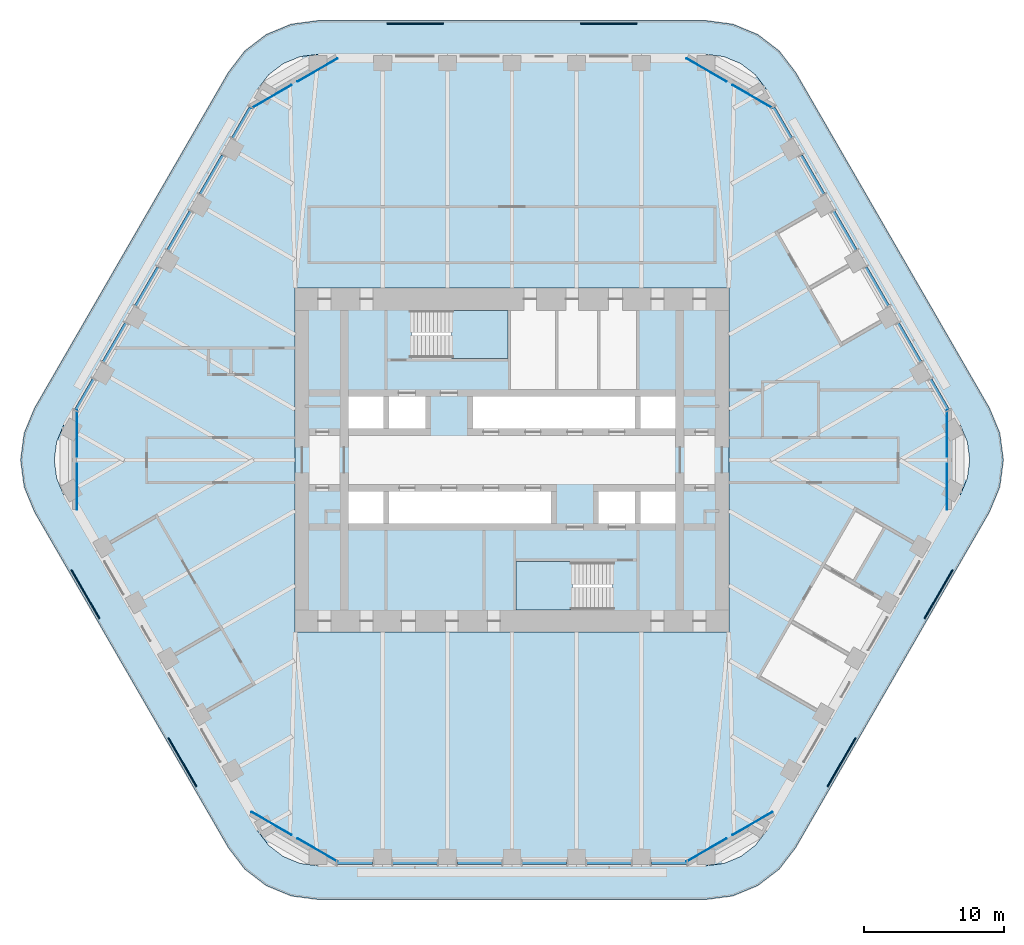
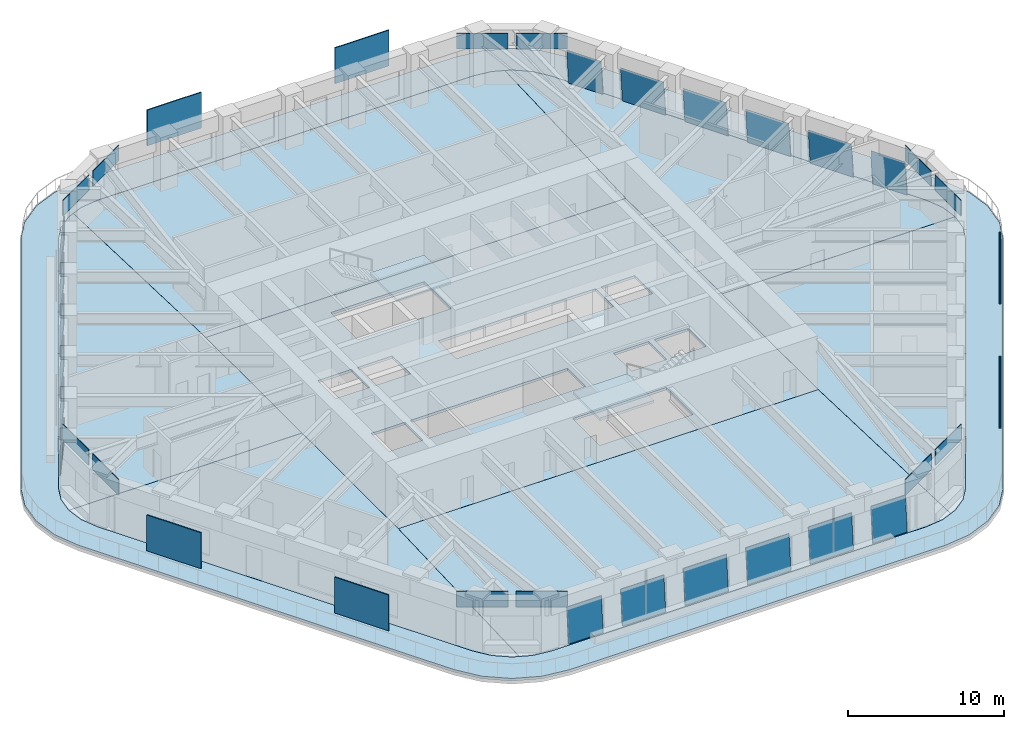
# One storey, part 13 of 20: 36 plates, 10 slabs, 20 elements without a shape of their own.
"""IFC4 building model written with IfcOpenShell, lengths in metres."""

from ifc_helpers import new_model, si_unit, direction, frame, origin, origin_2d, place, context, subcontext, project, spatial, polyline, rectangle, outline, extrude, material, layer, layer_set, type_object, element, aggregate, save


model = new_model("IFC4")

# Units and contexts
model_context = context("Model", 3, precision=1e-05, world=origin(), true_north=direction((0.0, 1.0)))
body_context = subcontext(model_context, "Body", "Model", "MODEL_VIEW")
ifc_project = project(units=[si_unit("LENGTHUNIT", "METRE"), si_unit("AREAUNIT", "SQUARE_METRE"), si_unit("VOLUMEUNIT", "CUBIC_METRE"), si_unit("PLANEANGLEUNIT", "RADIAN"), si_unit("MASSUNIT", "GRAM", prefix="KILO")], contexts=[model_context])

# Site, building, storey
site_placement = place(None, origin())
site = spatial("IfcSite", under=ifc_project, at=site_placement, CompositionType="ELEMENT")
building_placement = place(site_placement, origin())
building = spatial("IfcBuilding", under=site, at=building_placement, Name="Tarfa Lantern Tower", CompositionType="ELEMENT")
storey_placement = place(building_placement, frame((0.0, 0.0, 244.89990234375)))
storey = spatial("IfcBuildingStorey", under=building, at=storey_placement, Name="L55", CompositionType="ELEMENT", Elevation=244.89990234375)

# Slab
ifc_material_1 = material(Name="Concrete C40/50", Category="concrete")
ifc_layer_1 = layer(ifc_material_1, 0.199951171875)
ifc_layer_set_1 = layer_set([ifc_layer_1], Name="BS2 BALCONY SLAB 200")
slab_type_1 = type_object("IfcSlabType", Name="BS2 BALCONY SLAB 200", PredefinedType="FLOOR", material=ifc_layer_set_1)
slab_1_placement = place(storey_placement, frame((0.0, 0.0, -0.199951171875)))
element("IfcSlab", 1, at=slab_1_placement, inside=storey, type_object=slab_type_1, Name="Balcony L55", PredefinedType="FLOOR", context=body_context, shape_type="SweptSolid", body=[
    extrude(outline(polyline([(34.121337890625, 3.699951171875), (20.264892578125, 27.699951171875), (19.089111328125, 29.232666015625), (17.556396484375, 30.40869140625), (15.771728515625, 31.14794921875), (13.8564453125, 31.39990234375), (-13.8564453125, 31.39990234375), (-15.771728515625, 31.14794921875), (-17.556396484375, 30.40869140625), (-19.089111328125, 29.232666015625), (-20.264892578125, 27.699951171875), (-34.121337890625, 3.699951171875), (-34.860595703125, 1.915283203125), (-35.11279296875, 0.0), (-34.860595703125, -1.915283203125), (-34.121337890625, -3.699951171875), (-20.264892578125, -27.699951171875), (-19.089111328125, -29.232666015625), (-17.556396484375, -30.40869140625), (-15.771728515625, -31.14794921875), (-13.8564453125, -31.39990234375), (13.8564453125, -31.39990234375), (15.771728515625, -31.14794921875), (17.556396484375, -30.40869140625), (19.089111328125, -29.232666015625), (20.264892578125, -27.699951171875), (34.121337890625, -3.699951171875), (34.860595703125, -1.915283203125), (35.11279296875, 0.0), (34.860595703125, 1.915283203125), (34.121337890625, 3.699951171875)]), holes=[polyline([(32.04296875, 2.5), (18.1865234375, 26.5), (17.391845703125, 27.53564453125), (16.3564453125, 28.330078125), (15.150390625, 28.82958984375), (13.8564453125, 29.0), (-13.8564453125, 29.0), (-15.150390625, 28.82958984375), (-16.3564453125, 28.330078125), (-17.391845703125, 27.53564453125), (-18.1865234375, 26.5), (-32.04296875, 2.5), (-32.54248046875, 1.294189453125), (-32.712890625, 0.0), (-32.54248046875, -1.294189453125), (-32.04296875, -2.5), (-18.1865234375, -26.5), (-17.391845703125, -27.53564453125), (-16.3564453125, -28.330078125), (-15.150390625, -28.82958984375), (-13.8564453125, -29.0), (13.8564453125, -29.0), (15.150390625, -28.82958984375), (16.3564453125, -28.330078125), (17.391845703125, -27.53564453125), (18.1865234375, -26.5), (32.04296875, -2.5), (32.54248046875, -1.294189453125), (32.712890625, 0.0), (32.54248046875, 1.294189453125), (32.04296875, 2.5)])]), origin(), (0.0, 0.0, 1.0), 0.199951171875),
])

# Curtain wall, plate
ifc_material_2 = material(Name="Aluminium framed curtain wall", Category="aluminium")
curtain_wall_type = type_object("IfcCurtainWallType", Name="CW3 CANTED GLAZING HIGH ZONE 2800", PredefinedType="USERDEFINED", material=ifc_material_2)
curtain_wall_1_placement = place(storey_placement, origin())
curtain_wall_1 = element("IfcCurtainWall", 2, at=curtain_wall_1_placement, inside=storey, type_object=curtain_wall_type, Name="CW3 NE L55", ObjectType="CURTAIN WALL", PredefinedType="USERDEFINED")
ifc_material_3 = material(Name="Laminated double glazing", Category="glass")
ifc_layer_2 = layer(ifc_material_3, 0.028076171875)
ifc_layer_set_2 = layer_set([ifc_layer_2], Name="CWP1 DOUBLE GLAZED PANEL")
plate_type_1 = type_object("IfcPlateType", Name="CWP1 DOUBLE GLAZED PANEL", PredefinedType="CURTAIN_PANEL", material=ifc_layer_set_2)
plate_1_placement = place(storey_placement, frame((31.27392578125, 3.632080078125, 0.0), z_axis=(0.862597812181, 0.498009918325, 0.088944565154), x_axis=(-0.499991881386, 0.86603009101, 3.688828e-06)))
plate_1 = element("IfcPlate", 3, at=plate_1_placement, type_object=plate_type_1, Name="CW3 panel 1.1", PredefinedType="CURTAIN_PANEL", context=body_context, shape_type="SweptSolid", body=[
    extrude(outline(polyline([(0.0, 0.0), (2.5389220661234515, 0.0), (2.5389267657622057, 2.7459815404071932), (0.0001267679691709482, 2.7460003457862903), (0.0, 0.0)])), origin(), (0.0, 0.0, -1.0), 0.028076171875),
])
aggregate(curtain_wall_1, [plate_1])

curtain_wall_2_placement = place(storey_placement, origin())
curtain_wall_2 = element("IfcCurtainWall", 4, at=curtain_wall_2_placement, inside=storey, type_object=curtain_wall_type, Name="CW3 NE L55", ObjectType="CURTAIN WALL", PredefinedType="USERDEFINED")
plate_2_placement = place(storey_placement, frame((29.28955078125, 7.069091796875, 0.0), z_axis=(0.862609034743, 0.49799047926, 0.088944565584), x_axis=(-0.499972306845, 0.86604139184, 2.936936e-06)))
plate_2 = element("IfcPlate", 5, at=plate_2_placement, type_object=plate_type_1, Name="CW3 panel 1.1", PredefinedType="CURTAIN_PANEL", context=body_context, shape_type="SweptSolid", body=[
    extrude(outline(polyline([(0.0, 0.0), (3.188959804808154, 0.0), (3.188956929880909, 2.745981540409657), (0.00011918862423093281, 2.746000346125675), (0.0, 0.0)])), origin(), (0.0, 0.0, -1.0), 0.028076171875),
])
aggregate(curtain_wall_2, [plate_2])

curtain_wall_3_placement = place(storey_placement, origin())
curtain_wall_3 = element("IfcCurtainWall", 6, at=curtain_wall_3_placement, inside=storey, type_object=curtain_wall_type, Name="CW3 NE L55", ObjectType="CURTAIN WALL", PredefinedType="USERDEFINED")
plate_3_placement = place(storey_placement, frame((26.97998046875, 11.069091796875, 0.0), z_axis=(0.862609034743, 0.49799047926, 0.088944565584), x_axis=(-0.499971852573, 0.866041654094, -2.937048e-06)))
plate_3 = element("IfcPlate", 7, at=plate_3_placement, type_object=plate_type_1, Name="CW3 panel 1.1", PredefinedType="CURTAIN_PANEL", context=body_context, shape_type="SweptSolid", body=[
    extrude(outline(polyline([(0.0, 0.0), (3.1888377413121303, 0.0), (3.188940735790754, 2.746000346780822), (-1.9068961945883972e-05, 2.745981540344952), (0.0, 0.0)])), origin(), (0.0, 0.0, -1.0), 0.028076171875),
])
aggregate(curtain_wall_3, [plate_3])

curtain_wall_4_placement = place(storey_placement, origin())
curtain_wall_4 = element("IfcCurtainWall", 8, at=curtain_wall_4_placement, inside=storey, type_object=curtain_wall_type, Name="CW3 NE L55", ObjectType="CURTAIN WALL", PredefinedType="USERDEFINED")
plate_4_placement = place(storey_placement, frame((24.670654296875, 15.069091796875, 0.0), z_axis=(0.862595478395, 0.498020780534, 0.088906371022), x_axis=(-0.500000789788, 0.8660249478, 0.0)))
plate_4 = element("IfcPlate", 9, at=plate_4_placement, type_object=plate_type_1, Name="CW3 panel 1.1", PredefinedType="CURTAIN_PANEL", context=body_context, shape_type="SweptSolid", body=[
    extrude(outline(polyline([(0.0, 0.0), (3.1889598065466314, 2.7755575615628914e-17), (3.1889569281424333, 2.74598154242858), (-2.8784041983250337e-06, 2.74598154242858), (0.0, 0.0)])), origin(), (0.0, 0.0, -1.0), 0.028076171875),
])
aggregate(curtain_wall_4, [plate_4])

curtain_wall_5_placement = place(storey_placement, origin())
curtain_wall_5 = element("IfcCurtainWall", 10, at=curtain_wall_5_placement, inside=storey, type_object=curtain_wall_type, Name="CW3 NE L55", ObjectType="CURTAIN WALL", PredefinedType="USERDEFINED")
plate_5_placement = place(storey_placement, frame((22.361328125, 19.069091796875, 0.0), z_axis=(0.862609034743, 0.49799047926, 0.088944565584), x_axis=(-0.499972306845, 0.86604139184, 2.936936e-06)))
plate_5 = element("IfcPlate", 11, at=plate_5_placement, type_object=plate_type_1, Name="CW3 panel 1.1", PredefinedType="CURTAIN_PANEL", context=body_context, shape_type="SweptSolid", body=[
    extrude(outline(polyline([(0.0, 0.0), (3.188959804808154, 0.0), (3.188956929880909, 2.745981540409657), (0.00011918862423093281, 2.746000346125675), (0.0, 0.0)])), origin(), (0.0, 0.0, -1.0), 0.028076171875),
])
aggregate(curtain_wall_5, [plate_5])

curtain_wall_6_placement = place(storey_placement, origin())
curtain_wall_6 = element("IfcCurtainWall", 12, at=curtain_wall_6_placement, inside=storey, type_object=curtain_wall_type, Name="CW3 NE L55", ObjectType="CURTAIN WALL", PredefinedType="USERDEFINED")
plate_6_placement = place(storey_placement, frame((20.0517578125, 23.069091796875, 0.0), z_axis=(0.862621501949, 0.497975703823, 0.088906370847), x_axis=(-0.499955533855, 0.866051074803, 0.0)))
plate_6 = element("IfcPlate", 13, at=plate_6_placement, type_object=plate_type_1, Name="CW3 panel 1.1", PredefinedType="CURTAIN_PANEL", context=body_context, shape_type="SweptSolid", body=[
    extrude(outline(polyline([(0.0, 0.0), (2.538800000046309, -1.3877787807814457e-17), (2.538784364039763, 2.745981542385572), (-1.5636006546276837e-05, 2.745981542385572), (0.0, 0.0)])), origin(), (0.0, 0.0, -1.0), 0.028076171875),
])
aggregate(curtain_wall_6, [plate_6])

curtain_wall_7_placement = place(storey_placement, origin())
curtain_wall_7 = element("IfcCurtainWall", 14, at=curtain_wall_7_placement, inside=storey, type_object=curtain_wall_type, Name="CW3 NW L55", ObjectType="CURTAIN WALL", PredefinedType="USERDEFINED")
plate_7_placement = place(storey_placement, frame((-18.782470703125, 25.267822265625, 0.0), z_axis=(-0.862621501949, 0.497975703823, 0.088906370847), x_axis=(-0.499955533855, -0.866051074803, 0.0)))
plate_7 = element("IfcPlate", 15, at=plate_7_placement, type_object=plate_type_1, Name="CW3 panel 1.1", PredefinedType="CURTAIN_PANEL", context=body_context, shape_type="SweptSolid", body=[
    extrude(outline(polyline([(0.0, 0.0), (2.538800000046309, 1.3877787807814457e-17), (2.5388156360528553, 2.745981542385572), (1.5636006546276837e-05, 2.745981542385572), (0.0, 0.0)])), origin(), (0.0, 0.0, -1.0), 0.028076171875),
])
aggregate(curtain_wall_7, [plate_7])

curtain_wall_8_placement = place(storey_placement, origin())
curtain_wall_8 = element("IfcCurtainWall", 16, at=curtain_wall_8_placement, inside=storey, type_object=curtain_wall_type, Name="CW3 NW L55", ObjectType="CURTAIN WALL", PredefinedType="USERDEFINED")
plate_8_placement = place(storey_placement, frame((-20.766845703125, 21.830810546875, 0.0), z_axis=(-0.862609034743, 0.49799047926, 0.088944565584), x_axis=(-0.499972306845, -0.86604139184, -2.936936e-06)))
plate_8 = element("IfcPlate", 17, at=plate_8_placement, type_object=plate_type_1, Name="CW3 panel 1.1", PredefinedType="CURTAIN_PANEL", context=body_context, shape_type="SweptSolid", body=[
    extrude(outline(polyline([(0.0, 0.0), (3.188959804808154, 0.0), (3.1888406161839233, 2.746000346125675), (2.874927244868359e-06, 2.745981540409657), (0.0, 0.0)])), origin(), (0.0, 0.0, -1.0), 0.028076171875),
])
aggregate(curtain_wall_8, [plate_8])

curtain_wall_9_placement = place(storey_placement, origin())
curtain_wall_9 = element("IfcCurtainWall", 18, at=curtain_wall_9_placement, inside=storey, type_object=curtain_wall_type, Name="CW3 NW L55", ObjectType="CURTAIN WALL", PredefinedType="USERDEFINED")
plate_9_placement = place(storey_placement, frame((-23.076171875, 17.830810546875, 0.0), z_axis=(-0.862595478395, 0.498020780534, 0.088906371022), x_axis=(-0.500000789788, -0.8660249478, 0.0)))
plate_9 = element("IfcPlate", 19, at=plate_9_placement, type_object=plate_type_1, Name="CW3 panel 1.1", PredefinedType="CURTAIN_PANEL", context=body_context, shape_type="SweptSolid", body=[
    extrude(outline(polyline([(0.0, 0.0), (3.1889598065466314, -2.7755575615628914e-17), (3.1889626849508295, 2.74598154242858), (2.8784041983250337e-06, 2.74598154242858), (0.0, 0.0)])), origin(), (0.0, 0.0, -1.0), 0.028076171875),
])
aggregate(curtain_wall_9, [plate_9])

curtain_wall_10_placement = place(storey_placement, origin())
curtain_wall_10 = element("IfcCurtainWall", 20, at=curtain_wall_10_placement, inside=storey, type_object=curtain_wall_type, Name="CW3 NW L55", ObjectType="CURTAIN WALL", PredefinedType="USERDEFINED")
plate_10_placement = place(storey_placement, frame((-25.3857421875, 13.830810546875, 0.0), z_axis=(-0.862609034743, 0.49799047926, 0.088944565584), x_axis=(-0.499971852573, -0.866041654094, 2.937048e-06)))
plate_10 = element("IfcPlate", 21, at=plate_10_placement, type_object=plate_type_1, Name="CW3 panel 1.1", PredefinedType="CURTAIN_PANEL", context=body_context, shape_type="SweptSolid", body=[
    extrude(outline(polyline([(0.0, 0.0), (3.1888377413121303, 0.0), (3.1888568102740757, 2.745981540344952), (-0.00010299447862375795, 2.746000346780822), (0.0, 0.0)])), origin(), (0.0, 0.0, -1.0), 0.028076171875),
])
aggregate(curtain_wall_10, [plate_10])

curtain_wall_11_placement = place(storey_placement, origin())
curtain_wall_11 = element("IfcCurtainWall", 22, at=curtain_wall_11_placement, inside=storey, type_object=curtain_wall_type, Name="CW3 NW L55", ObjectType="CURTAIN WALL", PredefinedType="USERDEFINED")
plate_11_placement = place(storey_placement, frame((-27.695068359375, 9.830810546875, 0.0), z_axis=(-0.862609034743, 0.49799047926, 0.088944565584), x_axis=(-0.499972306845, -0.86604139184, -2.936936e-06)))
plate_11 = element("IfcPlate", 23, at=plate_11_placement, type_object=plate_type_1, Name="CW3 panel 1.1", PredefinedType="CURTAIN_PANEL", context=body_context, shape_type="SweptSolid", body=[
    extrude(outline(polyline([(0.0, 0.0), (3.188959804808154, 0.0), (3.1888406161839233, 2.746000346125675), (2.874927244868359e-06, 2.745981540409657), (0.0, 0.0)])), origin(), (0.0, 0.0, -1.0), 0.028076171875),
])
aggregate(curtain_wall_11, [plate_11])

curtain_wall_12_placement = place(storey_placement, origin())
curtain_wall_12 = element("IfcCurtainWall", 24, at=curtain_wall_12_placement, inside=storey, type_object=curtain_wall_type, Name="CW3 NW L55", ObjectType="CURTAIN WALL", PredefinedType="USERDEFINED")
plate_12_placement = place(storey_placement, frame((-30.00439453125, 5.830810546875, 0.0), z_axis=(-0.862597812181, 0.498009918325, 0.088944565154), x_axis=(-0.499991881386, -0.86603009101, -3.688828e-06)))
plate_12 = element("IfcPlate", 25, at=plate_12_placement, type_object=plate_type_1, Name="CW3 panel 1.1", PredefinedType="CURTAIN_PANEL", context=body_context, shape_type="SweptSolid", body=[
    extrude(outline(polyline([(0.0, 0.0), (2.5389220661234515, 0.0), (2.538795298154281, 2.7460003457862903), (-4.6996387543900236e-06, 2.7459815404071932), (0.0, 0.0)])), origin(), (0.0, 0.0, -1.0), 0.028076171875),
])
aggregate(curtain_wall_12, [plate_12])

curtain_wall_13_placement = place(storey_placement, origin())
curtain_wall_13 = element("IfcCurtainWall", 26, at=curtain_wall_13_placement, inside=storey, type_object=curtain_wall_type, Name="CW3 S L55", ObjectType="CURTAIN WALL", PredefinedType="USERDEFINED")
plate_13_placement = place(storey_placement, frame((-12.491455078125, -28.89990234375, 0.0), z_axis=(0.0, -0.996039814532, 0.088908311571), x_axis=(1.0, 0.0, 0.0)))
plate_13 = element("IfcPlate", 27, at=plate_13_placement, type_object=plate_type_1, Name="CW3 panel 1.1", PredefinedType="CURTAIN_PANEL", context=body_context, shape_type="SweptSolid", body=[
    extrude(outline(polyline([(0.0, 0.0), (2.538818359375, 0.0), (2.538818359375, 2.745982019965007), (0.0, 2.745982019965007), (0.0, 0.0)])), origin(), (0.0, 0.0, -1.0), 0.028076171875),
])
aggregate(curtain_wall_13, [plate_13])

curtain_wall_14_placement = place(storey_placement, origin())
curtain_wall_14 = element("IfcCurtainWall", 28, at=curtain_wall_14_placement, inside=storey, type_object=curtain_wall_type, Name="CW3 S L55", ObjectType="CURTAIN WALL", PredefinedType="USERDEFINED")
plate_14_placement = place(storey_placement, frame((-8.522705078125, -28.89990234375, 0.0), z_axis=(0.0, -0.996039814532, 0.088908311571), x_axis=(1.0, 0.0, 0.0)))
plate_14 = element("IfcPlate", 29, at=plate_14_placement, type_object=plate_type_1, Name="CW3 panel 1.1", PredefinedType="CURTAIN_PANEL", context=body_context, shape_type="SweptSolid", body=[
    extrude(outline(polyline([(0.0, 0.0), (3.18896484375, 0.0), (3.18896484375, 2.745982019965007), (0.0, 2.745982019965007), (0.0, 0.0)])), origin(), (0.0, 0.0, -1.0), 0.028076171875),
])
aggregate(curtain_wall_14, [plate_14])

curtain_wall_15_placement = place(storey_placement, origin())
curtain_wall_15 = element("IfcCurtainWall", 30, at=curtain_wall_15_placement, inside=storey, type_object=curtain_wall_type, Name="CW3 S L55", ObjectType="CURTAIN WALL", PredefinedType="USERDEFINED")
plate_15_placement = place(storey_placement, frame((-3.90380859375, -28.89990234375, 0.0), z_axis=(0.0, -0.996039814532, 0.088908311571), x_axis=(1.0, 0.0, 0.0)))
plate_15 = element("IfcPlate", 31, at=plate_15_placement, type_object=plate_type_1, Name="CW3 panel 1.1", PredefinedType="CURTAIN_PANEL", context=body_context, shape_type="SweptSolid", body=[
    extrude(outline(polyline([(0.0, 0.0), (3.188720703125, 0.0), (3.188720703125, 2.745982019965007), (0.0, 2.745982019965007), (0.0, 0.0)])), origin(), (0.0, 0.0, -1.0), 0.028076171875),
])
aggregate(curtain_wall_15, [plate_15])

curtain_wall_16_placement = place(storey_placement, origin())
curtain_wall_16 = element("IfcCurtainWall", 32, at=curtain_wall_16_placement, inside=storey, type_object=curtain_wall_type, Name="CW3 S L55", ObjectType="CURTAIN WALL", PredefinedType="USERDEFINED")
plate_16_placement = place(storey_placement, frame((0.715087890625, -28.89990234375, 0.0), z_axis=(0.0, -0.996039814532, 0.088908311571), x_axis=(1.0, 0.0, 0.0)))
plate_16 = element("IfcPlate", 33, at=plate_16_placement, type_object=plate_type_1, Name="CW3 panel 1.1", PredefinedType="CURTAIN_PANEL", context=body_context, shape_type="SweptSolid", body=[
    extrude(outline(polyline([(0.0, 0.0), (3.188720703125, 0.0), (3.188720703125, 2.745982019965007), (0.0, 2.745982019965007), (0.0, 0.0)])), origin(), (0.0, 0.0, -1.0), 0.028076171875),
])
aggregate(curtain_wall_16, [plate_16])

curtain_wall_17_placement = place(storey_placement, origin())
curtain_wall_17 = element("IfcCurtainWall", 34, at=curtain_wall_17_placement, inside=storey, type_object=curtain_wall_type, Name="CW3 S L55", ObjectType="CURTAIN WALL", PredefinedType="USERDEFINED")
plate_17_placement = place(storey_placement, frame((5.333740234375, -28.89990234375, 0.0), z_axis=(0.0, -0.996039814532, 0.088908311571), x_axis=(1.0, 0.0, 0.0)))
plate_17 = element("IfcPlate", 35, at=plate_17_placement, type_object=plate_type_1, Name="CW3 panel 1.1", PredefinedType="CURTAIN_PANEL", context=body_context, shape_type="SweptSolid", body=[
    extrude(outline(polyline([(0.0, 0.0), (3.18896484375, 0.0), (3.18896484375, 2.745982019965007), (0.0, 2.745982019965007), (0.0, 0.0)])), origin(), (0.0, 0.0, -1.0), 0.028076171875),
])
aggregate(curtain_wall_17, [plate_17])

curtain_wall_18_placement = place(storey_placement, origin())
curtain_wall_18 = element("IfcCurtainWall", 36, at=curtain_wall_18_placement, inside=storey, type_object=curtain_wall_type, Name="CW3 S L55", ObjectType="CURTAIN WALL", PredefinedType="USERDEFINED")
plate_18_placement = place(storey_placement, frame((9.95263671875, -28.89990234375, 0.0), z_axis=(0.0, -0.996039814532, 0.088908311571), x_axis=(1.0, 0.0, 0.0)))
plate_18 = element("IfcPlate", 37, at=plate_18_placement, type_object=plate_type_1, Name="CW3 panel 1.1", PredefinedType="CURTAIN_PANEL", context=body_context, shape_type="SweptSolid", body=[
    extrude(outline(polyline([(0.0, 0.0), (2.538818359375, 0.0), (2.538818359375, 2.745982019965007), (0.0, 2.745982019965007), (0.0, 0.0)])), origin(), (0.0, 0.0, -1.0), 0.028076171875),
])
aggregate(curtain_wall_18, [plate_18])

# Slabs
ifc_layer_3 = layer(ifc_material_1, 0.199951171875)
ifc_layer_set_3 = layer_set([ifc_layer_3], Name="FS1 FLOOR SLAB 200")
slab_type_2 = type_object("IfcSlabType", Name="FS1 FLOOR SLAB 200", PredefinedType="FLOOR", material=ifc_layer_set_3)
slab_2_placement = place(storey_placement, frame((0.0, 0.0, -0.199951171875)))
element("IfcSlab", 38, at=slab_2_placement, inside=storey, type_object=slab_type_2, Name="Floor slab L55", PredefinedType="FLOOR", context=body_context, shape_type="SweptSolid", body=[
    extrude(outline(polyline([(-15.5, -12.300048828125), (15.5, -12.300048828125), (15.5, 12.300048828125), (-15.5, 12.300048828125), (-15.5, -12.300048828125)]), holes=[polyline([(-11.699951171875, 2.25), (-9.199951171875, 2.25), (-9.199951171875, 4.550048828125), (-11.699951171875, 4.550048828125), (-11.699951171875, 2.25)]), polyline([(-8.800048828125, 2.25), (-6.199951171875, 2.25), (-6.199951171875, 4.550048828125), (-8.800048828125, 4.550048828125), (-8.800048828125, 2.25)]), polyline([(-2.800048828125, 2.25), (8.800048828125, 2.25), (8.800048828125, 4.550048828125), (-2.800048828125, 4.550048828125), (-2.800048828125, 2.25)]), polyline([(9.199951171875, 2.25), (11.699951171875, 2.25), (11.699951171875, 4.550048828125), (9.199951171875, 4.550048828125), (9.199951171875, 2.25)]), polyline([(11.699951171875, -2.25), (9.199951171875, -2.25), (9.199951171875, -4.550048828125), (11.699951171875, -4.550048828125), (11.699951171875, -2.25)]), polyline([(8.800048828125, -2.25), (6.199951171875, -2.25), (6.199951171875, -4.550048828125), (8.800048828125, -4.550048828125), (8.800048828125, -2.25)]), polyline([(2.800048828125, -2.25), (-8.800048828125, -2.25), (-8.800048828125, -4.550048828125), (2.800048828125, -4.550048828125), (2.800048828125, -2.25)]), polyline([(-9.199951171875, -2.25), (-11.699951171875, -2.25), (-11.699951171875, -4.550048828125), (-9.199951171875, -4.550048828125), (-9.199951171875, -2.25)]), polyline([(-7.199951171875, 7.25), (-0.300048828125, 7.25), (-0.300048828125, 10.699951171875), (-7.199951171875, 10.699951171875), (-7.199951171875, 7.25)]), polyline([(7.199951171875, -7.25), (0.300048828125, -7.25), (0.300048828125, -10.699951171875), (7.199951171875, -10.699951171875), (7.199951171875, -7.25)])]), origin(), (0.0, 0.0, 1.0), 0.199951171875),
])
slab_3_placement = place(storey_placement, frame((0.0, 0.0, -0.199951171875)))
element("IfcSlab", 39, at=slab_3_placement, inside=storey, type_object=slab_type_2, Name="Floor slab L55 NE bay", PredefinedType="FLOOR", context=body_context, shape_type="SweptSolid", body=[
    extrude(outline(polyline([(32.041259765625, 2.4990234375), (18.184814453125, 26.498779296875), (17.390625, 27.5341796875), (16.35546875, 28.328369140625), (15.927490234375, 28.505615234375), (15.501953125, 12.300048828125), (15.501953125, 0.001953125), (32.71044921875, 0.001953125), (32.54052734375, 1.29345703125), (32.041259765625, 2.4990234375)])), origin(), (0.0, 0.0, 1.0), 0.199951171875),
])
slab_4_placement = place(storey_placement, frame((0.0, 0.0, -0.199951171875)))
element("IfcSlab", 40, at=slab_4_placement, inside=storey, type_object=slab_type_2, Name="Floor slab L55 N bay", PredefinedType="FLOOR", context=body_context, shape_type="SweptSolid", body=[
    extrude(outline(polyline([(-15.498046875, 12.302001953125), (15.498046875, 12.302001953125), (15.923583984375, 28.50732421875), (15.14990234375, 28.82763671875), (13.856201171875, 28.998046875), (-13.856201171875, 28.998046875), (-15.14990234375, 28.82763671875), (-15.923583984375, 28.50732421875), (-15.498046875, 12.302001953125)])), origin(), (0.0, 0.0, 1.0), 0.199951171875),
])
slab_5_placement = place(storey_placement, frame((0.0, 0.0, -0.199951171875)))
element("IfcSlab", 41, at=slab_5_placement, inside=storey, type_object=slab_type_2, Name="Floor slab L55 NW bay", PredefinedType="FLOOR", context=body_context, shape_type="SweptSolid", body=[
    extrude(outline(polyline([(-15.501953125, 0.001953125), (-15.501953125, 12.300048828125), (-15.927490234375, 28.505615234375), (-16.35546875, 28.328369140625), (-17.390625, 27.5341796875), (-18.184814453125, 26.498779296875), (-32.041259765625, 2.4990234375), (-32.54052734375, 1.29345703125), (-32.71044921875, 0.001953125), (-15.501953125, 0.001953125)])), origin(), (0.0, 0.0, 1.0), 0.199951171875),
])
slab_6_placement = place(storey_placement, frame((0.0, 0.0, -0.199951171875)))
element("IfcSlab", 42, at=slab_6_placement, inside=storey, type_object=slab_type_2, Name="Floor slab L55 SW bay", PredefinedType="FLOOR", context=body_context, shape_type="SweptSolid", body=[
    extrude(outline(polyline([(-15.501953125, -12.300048828125), (-15.501953125, -0.001953125), (-32.71044921875, -0.001953125), (-32.54052734375, -1.29345703125), (-32.041259765625, -2.4990234375), (-18.184814453125, -26.498779296875), (-17.390625, -27.5341796875), (-16.35546875, -28.328369140625), (-15.927490234375, -28.505615234375), (-15.501953125, -12.300048828125)])), origin(), (0.0, 0.0, 1.0), 0.199951171875),
])
slab_7_placement = place(storey_placement, frame((0.0, 0.0, -0.199951171875)))
element("IfcSlab", 43, at=slab_7_placement, inside=storey, type_object=slab_type_2, Name="Floor slab L55 S bay", PredefinedType="FLOOR", context=body_context, shape_type="SweptSolid", body=[
    extrude(outline(polyline([(15.498046875, -12.302001953125), (-15.498046875, -12.302001953125), (-15.923583984375, -28.50732421875), (-15.14990234375, -28.82763671875), (-13.856201171875, -28.998046875), (13.856201171875, -28.998046875), (15.14990234375, -28.82763671875), (15.923583984375, -28.50732421875), (15.498046875, -12.302001953125)])), origin(), (0.0, 0.0, 1.0), 0.199951171875),
])
slab_8_placement = place(storey_placement, frame((0.0, 0.0, -0.199951171875)))
element("IfcSlab", 44, at=slab_8_placement, inside=storey, type_object=slab_type_2, Name="Floor slab L55 SE bay", PredefinedType="FLOOR", context=body_context, shape_type="SweptSolid", body=[
    extrude(outline(polyline([(15.501953125, -0.001953125), (15.501953125, -12.300048828125), (15.927490234375, -28.505615234375), (16.35546875, -28.328369140625), (17.390625, -27.5341796875), (18.184814453125, -26.498779296875), (32.041259765625, -2.4990234375), (32.54052734375, -1.29345703125), (32.71044921875, -0.001953125), (15.501953125, -0.001953125)])), origin(), (0.0, 0.0, 1.0), 0.199951171875),
])

# Plates
ifc_material_4 = material(Name="Aluminium fascia panel", Category="aluminium")
ifc_layer_4 = layer(ifc_material_4, 0.050048828125)
ifc_layer_set_4 = layer_set([ifc_layer_4], Name="LF1 LOGGIA HEAD FASCIA 50")
plate_type_2 = type_object("IfcPlateType", Name="LF1 LOGGIA HEAD FASCIA 50", PredefinedType="USERDEFINED", material=ifc_layer_set_4)
for number, where, z_axis, x_axis, name in (
    (45, (17.18994140625, 25.972900390625, 2.80029296875), (0.0, 0.0, 1.0), (-0.866025403784, 0.5, 0.0), "Garden head fascia NE-N"),
    (46, (13.898193359375, 27.873291015625, 2.80029296875), (0.0, 0.0, 1.0), (-0.866025403784, 0.5, 0.0), "Garden head fascia NE-N"),
    (47, (-13.898193359375, 27.873291015625, 2.80029296875), (0.0, 0.0, 1.0), (-0.866025403784, -0.5, 0.0), "Garden head fascia N-NW"),
    (48, (-17.18994140625, 25.972900390625, 2.80029296875), (0.0, 0.0, 1.0), (-0.866025403784, -0.5, 0.0), "Garden head fascia N-NW"),
    (49, (-31.088134765625, 1.900390625, 2.80029296875), (0.0, 0.0, 1.0), (0.0, -1.0, 0.0), "Garden head fascia NW-SW"),
    (50, (-31.088134765625, -1.900390625, 2.80029296875), (0.0, 0.0, 1.0), (0.0, -1.0, 0.0), "Garden head fascia NW-SW"),
    (51, (-17.18994140625, -25.972900390625, 2.80029296875), (0.0, 0.0, 1.0), (0.866025403784, -0.5, 0.0), "Garden head fascia SW-S"),
    (52, (-13.898193359375, -27.873291015625, 2.80029296875), (0.0, 0.0, 1.0), (0.866025403784, -0.5, 0.0), "Garden head fascia SW-S"),
    (53, (13.898193359375, -27.873291015625, 2.80029296875), (0.0, 0.0, 1.0), (0.866025403784, 0.5, 0.0), "Garden head fascia S-SE"),
    (54, (17.18994140625, -25.972900390625, 2.80029296875), (0.0, 0.0, 1.0), (0.866025403784, 0.5, 0.0), "Garden head fascia S-SE"),
    (55, (31.088134765625, -1.900390625, 2.80029296875), (0.0, 0.0, 1.0), (0.0, 1.0, 0.0), "Garden head fascia SE-NE"),
    (56, (31.088134765625, 1.900390625, 2.80029296875), (0.0, 0.0, 1.0), (0.0, 1.0, 0.0), "Garden head fascia SE-NE"),
):
    element("IfcPlate", number, at=place(storey_placement, frame(where, z_axis=z_axis, x_axis=x_axis)), inside=storey, type_object=plate_type_2, Name=name, ObjectType="FASCIA", PredefinedType="USERDEFINED", context=body_context, shape_type="SweptSolid", body=[
        extrude(rectangle(XDim=3.30078125, YDim=0.050048828125, at=origin_2d()), origin(), (0.0, 0.0, 1.0), 1.199951171875),
    ])
ifc_material_5 = material(Name="Perforated limestone screen", Category="masonry")
ifc_layer_5 = layer(ifc_material_5, 0.080078125)
ifc_layer_set_5 = layer_set([ifc_layer_5], Name="SC1 STONE SCREEN 80")
plate_type_3 = type_object("IfcPlateType", Name="SC1 STONE SCREEN 80", PredefinedType="USERDEFINED", material=ifc_layer_set_5)
for number, where, z_axis, x_axis, name in (
    (57, (6.92822265625, 31.199951171875, 1.2001953125), (0.0, 0.0, 1.0), (-1.0, 0.0, 0.0), "Stone screen N 1"),
    (58, (-6.92822265625, 31.199951171875, 1.2001953125), (0.0, 0.0, 1.0), (-1.0, 0.0, 0.0), "Stone screen N 2"),
    (59, (-30.484130859375, -9.60009765625, 1.2001953125), (0.0, 0.0, 1.0), (0.5, -0.866025403784, 0.0), "Stone screen SW 1"),
    (60, (-23.555908203125, -21.60009765625, 1.2001953125), (0.0, 0.0, 1.0), (0.5, -0.866025403784, 0.0), "Stone screen SW 2"),
    (61, (23.555908203125, -21.60009765625, 1.2001953125), (0.0, 0.0, 1.0), (0.5, 0.866025403784, 0.0), "Stone screen SE 1"),
    (62, (30.484130859375, -9.60009765625, 1.2001953125), (0.0, 0.0, 1.0), (0.5, 0.866025403784, 0.0), "Stone screen SE 2"),
):
    element("IfcPlate", number, at=place(storey_placement, frame(where, z_axis=z_axis, x_axis=x_axis)), inside=storey, type_object=plate_type_3, Name=name, ObjectType="SCREEN", PredefinedType="USERDEFINED", context=body_context, shape_type="SweptSolid", body=[
        extrude(rectangle(XDim=4.0, YDim=0.080078125, at=origin_2d()), origin(), (0.0, 0.0, 1.0), 2.800048828125),
    ])

# Stair, slab
stair_type = type_object("IfcStairType", Name="ST-T10 HALF-TURN STAIR 4200 RISE", PredefinedType="HALF_TURN_STAIR", material=ifc_material_1)
stair_1_placement = place(storey_placement, origin())
stair_1 = element("IfcStair", 63, at=stair_1_placement, inside=storey, type_object=stair_type, Name="Stair ST1", PredefinedType="HALF_TURN_STAIR")
ifc_layer_6 = layer(ifc_material_1, 0.199951171875)
ifc_layer_set_6 = layer_set([ifc_layer_6], Name="SL1 STAIR LANDING 200")
slab_type_3 = type_object("IfcSlabType", Name="SL1 STAIR LANDING 200", PredefinedType="LANDING", material=ifc_layer_set_6)
slab_9_placement = place(storey_placement, frame((0.0, 0.0, 1.900146484375)))
slab_9 = element("IfcSlab", 64, at=slab_9_placement, type_object=slab_type_3, Name="ST1 landing 1", PredefinedType="LANDING", context=body_context, shape_type="SweptSolid", body=[
    extrude(outline(polyline([(-4.320068359375, 7.25), (-0.300048828125, 7.25), (-0.300048828125, 10.699951171875), (-4.320068359375, 10.699951171875), (-4.320068359375, 7.25)])), origin(), (0.0, 0.0, 1.0), 0.199951171875),
])
aggregate(stair_1, [slab_9])

stair_2_placement = place(storey_placement, origin())
stair_2 = element("IfcStair", 65, at=stair_2_placement, inside=storey, type_object=stair_type, Name="Stair ST2", PredefinedType="HALF_TURN_STAIR")
slab_10_placement = place(storey_placement, frame((0.0, 0.0, 1.900146484375)))
slab_10 = element("IfcSlab", 66, at=slab_10_placement, type_object=slab_type_3, Name="ST2 landing 1", PredefinedType="LANDING", context=body_context, shape_type="SweptSolid", body=[
    extrude(outline(polyline([(4.320068359375, -7.25), (0.300048828125, -7.25), (0.300048828125, -10.699951171875), (4.320068359375, -10.699951171875), (4.320068359375, -7.25)])), origin(), (0.0, 0.0, 1.0), 0.199951171875),
])
aggregate(stair_2, [slab_10])

save(model, "model.ifc")
